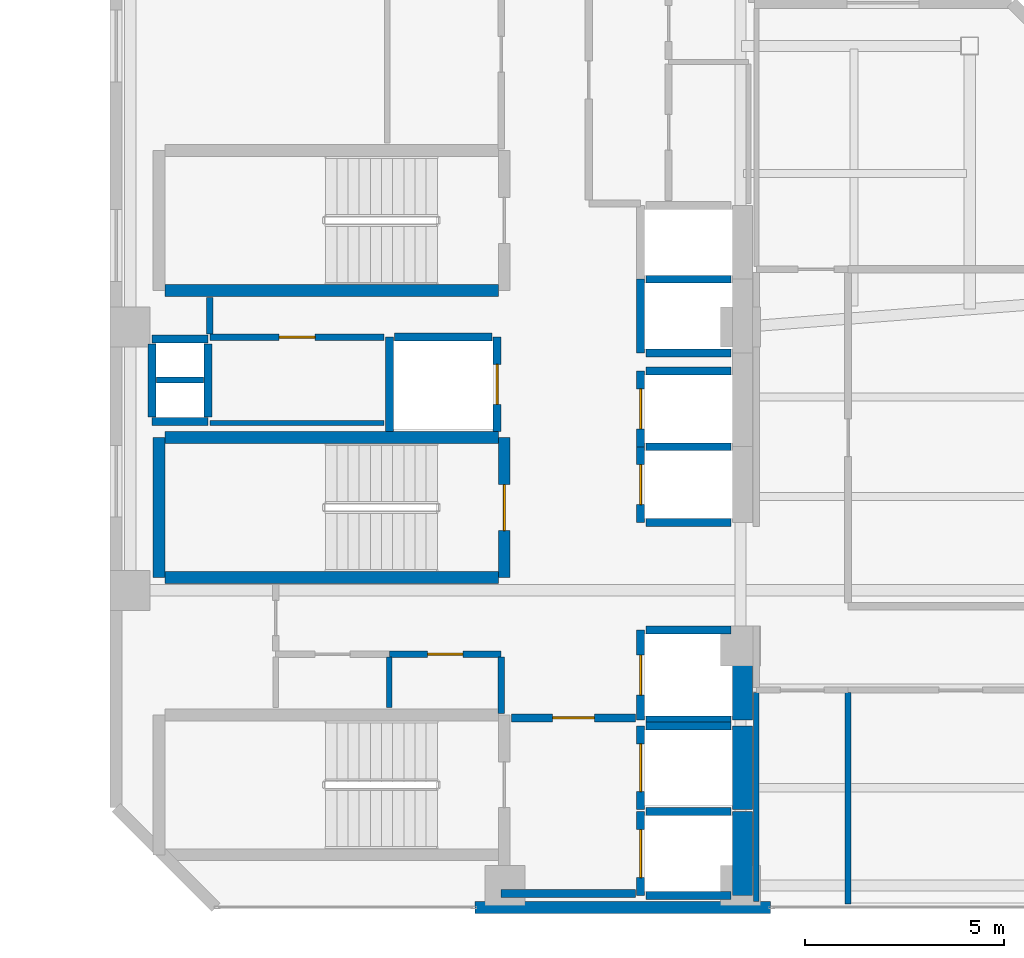
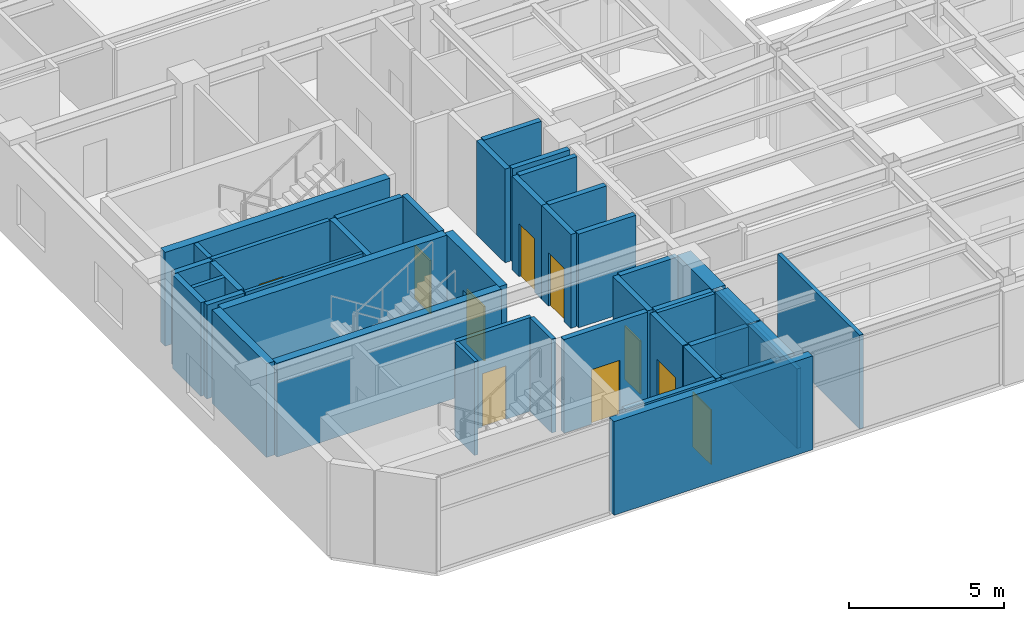
# One storey, part 9 of 15: 43 walls, 10 doors, 10 openings.
"""IFC4 building model written with IfcOpenShell, lengths in metres."""

from ifc_helpers import new_model, si_unit, direction, frame, frame_2d, origin, place, context, subcontext, project, spatial, rectangle, extrude, material, layer, layer_set, type_object, element, fill, save


model = new_model("IFC4")

# Units and contexts
model_context = context("Model", 3, precision=1e-05, world=origin(), true_north=direction((0.0, 1.0)))
body_context = subcontext(model_context, "Body", "Model", "MODEL_VIEW")
ifc_project = project(units=[si_unit("LENGTHUNIT", "METRE"), si_unit("AREAUNIT", "SQUARE_METRE"), si_unit("VOLUMEUNIT", "CUBIC_METRE"), si_unit("PLANEANGLEUNIT", "RADIAN"), si_unit("MASSUNIT", "GRAM", prefix="KILO")], contexts=[model_context])

# Site, building, storey
site_placement = place(None, origin())
site = spatial("IfcSite", under=ifc_project, at=site_placement, CompositionType="ELEMENT")
building_placement = place(site_placement, origin())
building = spatial("IfcBuilding", under=site, at=building_placement, Name="Mawjaban Terraces University", CompositionType="ELEMENT")
storey_placement = place(building_placement, frame((0.0, 0.0, 207.0)))
storey = spatial("IfcBuildingStorey", under=building, at=storey_placement, Name="L50", CompositionType="ELEMENT", Elevation=207.0)

# Walls
ifc_material_1 = material(Name="Concrete C60/75", Category="concrete")
ifc_layer_1 = layer(ifc_material_1, 0.5)
ifc_layer_set_1 = layer_set([ifc_layer_1], Name="Concrete C60/75")
wall_type_1 = type_object("IfcWallType", Name="CoreShearWall_500", PredefinedType="SHEAR", material=ifc_layer_set_1)
wall_1_placement = place(storey_placement, frame((37.699951171875, 0.300048828125, 0.0), z_axis=(0.0, 0.0, 1.0), x_axis=(0.0, 1.0, 0.0)))
element("IfcWall", 1, at=wall_1_placement, inside=storey, type_object=wall_type_1, Name="L50 Lift FL-1 Hoistway Wall East", PredefinedType="SHEAR", context=body_context, shape_type="SweptSolid", body=[
    extrude(rectangle(XDim=2.099853515625, YDim=0.5, at=frame_2d((1.0498046875, 0.0))), origin(), (0.0, 0.0, 1.0), 3.68994140625),
])
wall_2_placement = place(storey_placement, frame((37.699951171875, 2.449951171875, 0.0), z_axis=(0.0, 0.0, 1.0), x_axis=(0.0, 1.0, 0.0)))
element("IfcWall", 2, at=wall_2_placement, inside=storey, type_object=wall_type_1, Name="L50 Lift FL-2 Hoistway Wall East", PredefinedType="SHEAR", context=body_context, shape_type="SweptSolid", body=[
    extrude(rectangle(XDim=2.10009765625, YDim=0.5, at=frame_2d((1.050048828125, 0.0))), origin(), (0.0, 0.0, 1.0), 3.68994140625),
])
wall_3_placement = place(storey_placement, frame((37.699951171875, 4.699951171875, 0.0), z_axis=(0.0, 0.0, 1.0), x_axis=(0.0, 1.0, 0.0)))
element("IfcWall", 3, at=wall_3_placement, inside=storey, type_object=wall_type_1, Name="L50 Lift SL-1 Hoistway Wall East", PredefinedType="SHEAR", context=body_context, shape_type="SweptSolid", body=[
    extrude(rectangle(XDim=2.25, YDim=0.5, at=frame_2d((1.125, 0.0))), origin(), (0.0, 0.0, 1.0), 3.68994140625),
])

# Wall, opening, door
ifc_material_2 = material(Name="Fire-rated gypsum board on steel stud", Category="steel")
ifc_layer_2 = layer(ifc_material_2, 0.159912109375)
ifc_layer_set_2 = layer_set([ifc_layer_2], Name="Fire-rated gypsum board on steel stud")
wall_type_2 = type_object("IfcWallType", Name="CorridorPartition_160", PredefinedType="PARTITIONING", material=ifc_layer_set_2)
wall_4_placement = place(storey_placement, frame((24.35009765625, 14.300048828125, 0.0), z_axis=(0.0, 0.0, 1.0), x_axis=(1.0, 0.0, 0.0)))
wall_4 = element("IfcWall", 4, at=wall_4_placement, inside=storey, type_object=wall_type_2, Name="L50 Core Riser Access Passage Partition 2", PredefinedType="PARTITIONING", context=body_context, shape_type="SweptSolid", body=[
    extrude(rectangle(XDim=4.369873046875, YDim=0.159912109375, at=frame_2d((2.18505859375, 0.0))), origin(), (0.0, 0.0, 1.0), 3.68994140625),
])
opening_1_placement = place(wall_4_placement, frame((1.735107421875, 0.0, 0.0)))
opening_1 = element("IfcOpeningElement", 5, at=opening_1_placement, cuts=wall_4, Name="Opening ID-090", PredefinedType="OPENING", context=body_context, shape_type="SweptSolid", body=[
    extrude(rectangle(XDim=0.89990234375, YDim=2.10009765625, at=frame_2d((0.449951171875, 1.050048828125))), frame((0.0, 0.08984375, 0.0), z_axis=(0.0, -1.0, 0.0), x_axis=(1.0, 0.0, 0.0)), (0.0, 0.0, 1.0), 0.179931640625),
])
ifc_material_3 = material(Name="Powder-coated steel frame and solid acoustic timber leaf", Category="steel")
door_type_1 = type_object("IfcDoorType", Name="OfficeDoor_900x2100", OperationType="NOTDEFINED", PredefinedType="DOOR", material=ifc_material_3)
door_1_placement = place(opening_1_placement, origin())
door_1 = element("IfcDoor", 6, at=door_1_placement, inside=storey, type_object=door_type_1, Name="L50 Cleaner Store Door", OperationType="SINGLE_SWING_RIGHT", OverallHeight=2.10009765625, OverallWidth=0.89990234375, PredefinedType="DOOR", context=body_context, shape_type="SweptSolid", body=[
    extrude(rectangle(XDim=0.89990234375, YDim=2.10009765625, at=frame_2d((0.449951171875, 1.050048828125))), frame((0.0, 0.02490234375, 0.0), z_axis=(0.0, -1.0, 0.0), x_axis=(1.0, 0.0, 0.0)), (0.0, 0.0, 1.0), 0.050048828125),
])
fill(opening_1, door_1)

wall_5_placement = place(storey_placement, frame((28.85009765625, 6.35009765625, 0.0), z_axis=(0.0, 0.0, 1.0), x_axis=(1.0, 0.0, 0.0)))
wall_5 = element("IfcWall", 7, at=wall_5_placement, inside=storey, type_object=wall_type_2, Name="L50 Core Washroom Lobby Partition 7", PredefinedType="PARTITIONING", context=body_context, shape_type="SweptSolid", body=[
    extrude(rectangle(XDim=2.7998046875, YDim=0.159912109375, at=frame_2d((1.39990234375, 0.0))), origin(), (0.0, 0.0, 1.0), 3.68994140625),
])
opening_2_placement = place(wall_5_placement, frame((0.9599609375, 0.0, 0.0)))
opening_2 = element("IfcOpeningElement", 8, at=opening_2_placement, cuts=wall_5, Name="Opening ID-088", PredefinedType="OPENING", context=body_context, shape_type="SweptSolid", body=[
    extrude(rectangle(XDim=0.8798828125, YDim=2.10009765625, at=frame_2d((0.43994140625, 1.050048828125))), frame((0.0, 0.08984375, 0.0), z_axis=(0.0, -1.0, 0.0), x_axis=(1.0, 0.0, 0.0)), (0.0, 0.0, 1.0), 0.179931640625),
])
door_type_2 = type_object("IfcDoorType", Name="ToiletDoor_880x2100", OperationType="NOTDEFINED", PredefinedType="DOOR", material=ifc_material_3)
door_2_placement = place(opening_2_placement, origin())
door_2 = element("IfcDoor", 9, at=door_2_placement, inside=storey, type_object=door_type_2, Name="L50 Accessible Toilet Door", OperationType="SINGLE_SWING_LEFT", OverallHeight=2.10009765625, OverallWidth=0.8798828125, PredefinedType="DOOR", context=body_context, shape_type="SweptSolid", body=[
    extrude(rectangle(XDim=0.8798828125, YDim=2.10009765625, at=frame_2d((0.43994140625, 1.050048828125))), frame((0.0, 0.02490234375, 0.0), z_axis=(0.0, -1.0, 0.0), x_axis=(1.0, 0.0, 0.0)), (0.0, 0.0, 1.0), 0.050048828125),
])
fill(opening_2, door_2)

# Walls
wall_6_placement = place(storey_placement, frame((24.35009765625, 15.2900390625, 0.0), z_axis=(0.0, 0.0, 1.0), x_axis=(0.0, -1.0, 0.0)))
element("IfcWall", 10, at=wall_6_placement, inside=storey, type_object=wall_type_2, Name="L50 Core Riser Access Passage Partition 30", PredefinedType="PARTITIONING", context=body_context, shape_type="SweptSolid", body=[
    extrude(rectangle(XDim=0.9150390625, YDim=0.159912109375, at=frame_2d((0.45751953125, 0.0))), origin(), (0.0, 0.0, 1.0), 3.68994140625),
])
wall_7_placement = place(storey_placement, frame((31.64990234375, 4.860107421875, 0.0), z_axis=(0.0, 0.0, 1.0), x_axis=(0.0, 1.0, 0.0)))
element("IfcWall", 11, at=wall_7_placement, inside=storey, type_object=wall_type_2, Name="L50 Accessible Toilet Partition 39", PredefinedType="PARTITIONING", context=body_context, shape_type="SweptSolid", body=[
    extrude(rectangle(XDim=1.414794921875, YDim=0.159912109375, at=frame_2d((0.70751953125, 0.0))), origin(), (0.0, 0.0, 1.0), 3.68994140625),
])
ifc_material_4 = material(Name="Insulated terracotta rainscreen on concrete backup C40/50", Category="masonry")
ifc_layer_3 = layer(ifc_material_4, 0.300048828125)
ifc_layer_set_3 = layer_set([ifc_layer_3], Name="Insulated terracotta rainscreen on concrete backup C40/50")
wall_type_3 = type_object("IfcWallType", Name="ExtTerracottaWall_300", PredefinedType="SOLIDWALL", material=ifc_layer_set_3)
wall_8_placement = place(storey_placement, frame((31.0, 0.0, 0.0), z_axis=(0.0, 0.0, 1.0), x_axis=(1.0, 0.0, 0.0)))
element("IfcWall", 12, at=wall_8_placement, inside=storey, type_object=wall_type_3, Name="L50 Exterior Terracotta Pier Wall 1.1", PredefinedType="SOLIDWALL", context=body_context, shape_type="SweptSolid", body=[
    extrude(rectangle(XDim=7.39990234375, YDim=0.300048828125, at=frame_2d((3.699951171875, 0.0))), origin(), (0.0, 0.0, 1.0), 3.68994140625),
])

# Wall, opening, door
ifc_material_5 = material(Name="Concrete C40/50", Category="concrete")
ifc_layer_4 = layer(ifc_material_5, 0.199951171875)
ifc_layer_set_4 = layer_set([ifc_layer_4], Name="Concrete C40/50")
wall_type_4 = type_object("IfcWallType", Name="FireLobbyWall_200", PredefinedType="SOLIDWALL", material=ifc_layer_set_4)
wall_9_placement = place(storey_placement, frame((35.14990234375, 2.39990234375, 0.0), z_axis=(0.0, 0.0, 1.0), x_axis=(0.0, -1.0, 0.0)))
wall_9 = element("IfcWall", 13, at=wall_9_placement, inside=storey, type_object=wall_type_4, Name="L50 Lift FL-1 Hoistway Wall West", PredefinedType="SOLIDWALL", context=body_context, shape_type="SweptSolid", body=[
    extrude(rectangle(XDim=2.099853515625, YDim=0.199951171875, at=frame_2d((1.0498046875, 0.0))), origin(), (0.0, 0.0, 1.0), 3.68994140625),
])
opening_3_placement = place(wall_9_placement, frame((0.449951171875, 0.0, 0.0)))
opening_3 = element("IfcOpeningElement", 14, at=opening_3_placement, cuts=wall_9, Name="Opening LD-FL-1", PredefinedType="OPENING", context=body_context, shape_type="SweptSolid", body=[
    extrude(rectangle(XDim=1.199951171875, YDim=2.14990234375, at=frame_2d((0.60009765625, 1.074951171875))), frame((0.0, 0.10986328125, 0.0), z_axis=(0.0, -1.0, 0.0), x_axis=(1.0, 0.0, 0.0)), (0.0, 0.0, 1.0), 0.219970703125),
])
ifc_material_6 = material(Name="Powder-coated steel frame and fire-rated steel-faced leaf", Category="steel")
door_type_3 = type_object("IfcDoorType", Name="LiftLandingFSAE_1200x2150", OperationType="NOTDEFINED", PredefinedType="DOOR", material=ifc_material_6)
door_3_placement = place(opening_3_placement, origin())
door_3 = element("IfcDoor", 15, at=door_3_placement, inside=storey, type_object=door_type_3, Name="L50 Lift FL-1 Sliding Landing Door", OperationType="DOUBLE_DOOR_SLIDING", OverallHeight=2.14990234375, OverallWidth=1.199951171875, PredefinedType="DOOR", context=body_context, shape_type="SweptSolid", body=[
    extrude(rectangle(XDim=1.199951171875, YDim=2.14990234375, at=frame_2d((0.60009765625, 1.074951171875))), frame((0.0, 0.02490234375, 0.0), z_axis=(0.0, -1.0, 0.0), x_axis=(1.0, 0.0, 0.0)), (0.0, 0.0, 1.0), 0.050048828125),
])
fill(opening_3, door_3)

# Walls
for number, where, z_axis, x_axis, name in (
    (16, (35.280029296875, 0.300048828125, 0.0), (0.0, 0.0, 1.0), (1.0, 0.0, 0.0), "L50 Lift FL-1 Hoistway Wall South"),
    (17, (37.419921875, 2.39990234375, 0.0), (0.0, 0.0, 1.0), (-1.0, 0.0, 0.0), "L50 Lift FL-1 Hoistway Wall North"),
):
    element("IfcWall", number, at=place(storey_placement, frame(where, z_axis=z_axis, x_axis=x_axis)), inside=storey, type_object=wall_type_4, Name=name, PredefinedType="SOLIDWALL", context=body_context, shape_type="SweptSolid", body=[
        extrude(rectangle(XDim=2.139892578125, YDim=0.199951171875, at=frame_2d((1.06982421875, 0.0))), origin(), (0.0, 0.0, 1.0), 3.68994140625),
    ])

# Wall, opening, door
wall_10_placement = place(storey_placement, frame((35.14990234375, 4.550048828125, 0.0), z_axis=(0.0, 0.0, 1.0), x_axis=(0.0, -1.0, 0.0)))
wall_10 = element("IfcWall", 18, at=wall_10_placement, inside=storey, type_object=wall_type_4, Name="L50 Lift FL-2 Hoistway Wall West", PredefinedType="SOLIDWALL", context=body_context, shape_type="SweptSolid", body=[
    extrude(rectangle(XDim=2.10009765625, YDim=0.199951171875, at=frame_2d((1.050048828125, 0.0))), origin(), (0.0, 0.0, 1.0), 3.68994140625),
])
opening_4_placement = place(wall_10_placement, frame((0.449951171875, 0.0, 0.0)))
opening_4 = element("IfcOpeningElement", 19, at=opening_4_placement, cuts=wall_10, Name="Opening LD-FL-2", PredefinedType="OPENING", context=body_context, shape_type="SweptSolid", body=[
    extrude(rectangle(XDim=1.199951171875, YDim=2.14990234375, at=frame_2d((0.60009765625, 1.074951171875))), frame((0.0, 0.10986328125, 0.0), z_axis=(0.0, -1.0, 0.0), x_axis=(1.0, 0.0, 0.0)), (0.0, 0.0, 1.0), 0.219970703125),
])
door_4_placement = place(opening_4_placement, origin())
door_4 = element("IfcDoor", 20, at=door_4_placement, inside=storey, type_object=door_type_3, Name="L50 Lift FL-2 Sliding Landing Door", OperationType="DOUBLE_DOOR_SLIDING", OverallHeight=2.14990234375, OverallWidth=1.199951171875, PredefinedType="DOOR", context=body_context, shape_type="SweptSolid", body=[
    extrude(rectangle(XDim=1.199951171875, YDim=2.14990234375, at=frame_2d((0.60009765625, 1.074951171875))), frame((0.0, 0.02490234375, 0.0), z_axis=(0.0, -1.0, 0.0), x_axis=(1.0, 0.0, 0.0)), (0.0, 0.0, 1.0), 0.050048828125),
])
fill(opening_4, door_4)

# Wall
wall_11_placement = place(storey_placement, frame((37.419921875, 4.550048828125, 0.0), z_axis=(0.0, 0.0, 1.0), x_axis=(-1.0, 0.0, 0.0)))
element("IfcWall", 21, at=wall_11_placement, inside=storey, type_object=wall_type_4, Name="L50 Lift FL-2 Hoistway Wall North", PredefinedType="SOLIDWALL", context=body_context, shape_type="SweptSolid", body=[
    extrude(rectangle(XDim=2.139892578125, YDim=0.199951171875, at=frame_2d((1.06982421875, 0.0))), origin(), (0.0, 0.0, 1.0), 3.68994140625),
])

# Wall, opening, door
wall_12_placement = place(storey_placement, frame((35.14990234375, 6.949951171875, 0.0), z_axis=(0.0, 0.0, 1.0), x_axis=(0.0, -1.0, 0.0)))
wall_12 = element("IfcWall", 22, at=wall_12_placement, inside=storey, type_object=wall_type_4, Name="L50 Lift SL-1 Hoistway Wall West", PredefinedType="SOLIDWALL", context=body_context, shape_type="SweptSolid", body=[
    extrude(rectangle(XDim=2.25, YDim=0.199951171875, at=frame_2d((1.125, 0.0))), origin(), (0.0, 0.0, 1.0), 3.68994140625),
])
opening_5_placement = place(wall_12_placement, frame((0.625, 0.0, 0.0)))
opening_5 = element("IfcOpeningElement", 23, at=opening_5_placement, cuts=wall_12, Name="Opening LD-SL-1", PredefinedType="OPENING", context=body_context, shape_type="SweptSolid", body=[
    extrude(rectangle(XDim=1.0, YDim=2.10009765625, at=frame_2d((0.5, 1.050048828125))), frame((0.0, 0.10986328125, 0.0), z_axis=(0.0, -1.0, 0.0), x_axis=(1.0, 0.0, 0.0)), (0.0, 0.0, 1.0), 0.219970703125),
])
door_type_4 = type_object("IfcDoorType", Name="LiftLandingSliding_1000x2100", OperationType="NOTDEFINED", PredefinedType="DOOR", material=ifc_material_6)
door_5_placement = place(opening_5_placement, origin())
door_5 = element("IfcDoor", 24, at=door_5_placement, inside=storey, type_object=door_type_4, Name="L50 Lift SL-1 Sliding Landing Door", OperationType="DOUBLE_DOOR_SLIDING", OverallHeight=2.10009765625, OverallWidth=1.0, PredefinedType="DOOR", context=body_context, shape_type="SweptSolid", body=[
    extrude(rectangle(XDim=1.0, YDim=2.10009765625, at=frame_2d((0.5, 1.050048828125))), frame((0.0, 0.02490234375, 0.0), z_axis=(0.0, -1.0, 0.0), x_axis=(1.0, 0.0, 0.0)), (0.0, 0.0, 1.0), 0.050048828125),
])
fill(opening_5, door_5)

# Walls
for number, where, z_axis, x_axis, name in (
    (25, (35.280029296875, 4.699951171875, 0.0), (0.0, 0.0, 1.0), (1.0, 0.0, 0.0), "L50 Lift SL-1 Hoistway Wall South"),
    (26, (37.419921875, 6.949951171875, 0.0), (0.0, 0.0, 1.0), (-1.0, 0.0, 0.0), "L50 Lift SL-1 Hoistway Wall North"),
):
    element("IfcWall", number, at=place(storey_placement, frame(where, z_axis=z_axis, x_axis=x_axis)), inside=storey, type_object=wall_type_4, Name=name, PredefinedType="SOLIDWALL", context=body_context, shape_type="SweptSolid", body=[
        extrude(rectangle(XDim=2.139892578125, YDim=0.199951171875, at=frame_2d((1.06982421875, 0.0))), origin(), (0.0, 0.0, 1.0), 3.68994140625),
    ])

# Wall, opening, door
wall_13_placement = place(storey_placement, frame((35.14990234375, 11.550048828125, 0.0), z_axis=(0.0, 0.0, 1.0), x_axis=(0.0, -1.0, 0.0)))
wall_13 = element("IfcWall", 27, at=wall_13_placement, inside=storey, type_object=wall_type_4, Name="L50 Lift PL-H1 Hoistway Wall West", PredefinedType="SOLIDWALL", context=body_context, shape_type="SweptSolid", body=[
    extrude(rectangle(XDim=1.900146484375, YDim=0.199951171875, at=frame_2d((0.9501953125, 0.0))), origin(), (0.0, 0.0, 1.0), 3.68994140625),
])
opening_6_placement = place(wall_13_placement, frame((0.449951171875, 0.0, 0.0)))
opening_6 = element("IfcOpeningElement", 28, at=opening_6_placement, cuts=wall_13, Name="Opening LD-PL-H1", PredefinedType="OPENING", context=body_context, shape_type="SweptSolid", body=[
    extrude(rectangle(XDim=1.0, YDim=2.10009765625, at=frame_2d((0.5, 1.050048828125))), frame((0.0, 0.10986328125, 0.0), z_axis=(0.0, -1.0, 0.0), x_axis=(1.0, 0.0, 0.0)), (0.0, 0.0, 1.0), 0.219970703125),
])
door_6_placement = place(opening_6_placement, origin())
door_6 = element("IfcDoor", 29, at=door_6_placement, inside=storey, type_object=door_type_4, Name="L50 Lift PL-H1 Sliding Landing Door", OperationType="DOUBLE_DOOR_SLIDING", OverallHeight=2.10009765625, OverallWidth=1.0, PredefinedType="DOOR", context=body_context, shape_type="SweptSolid", body=[
    extrude(rectangle(XDim=1.0, YDim=2.10009765625, at=frame_2d((0.5, 1.050048828125))), frame((0.0, 0.02490234375, 0.0), z_axis=(0.0, -1.0, 0.0), x_axis=(1.0, 0.0, 0.0)), (0.0, 0.0, 1.0), 0.050048828125),
])
fill(opening_6, door_6)

# Walls
for number, where, z_axis, x_axis, name in (
    (30, (35.280029296875, 9.64990234375, 0.0), (0.0, 0.0, 1.0), (1.0, 0.0, 0.0), "L50 Lift PL-H1 Hoistway Wall South"),
    (31, (37.419921875, 11.550048828125, 0.0), (0.0, 0.0, 1.0), (-1.0, 0.0, 0.0), "L50 Lift PL-H1 Hoistway Wall North"),
):
    element("IfcWall", number, at=place(storey_placement, frame(where, z_axis=z_axis, x_axis=x_axis)), inside=storey, type_object=wall_type_4, Name=name, PredefinedType="SOLIDWALL", context=body_context, shape_type="SweptSolid", body=[
        extrude(rectangle(XDim=2.139892578125, YDim=0.199951171875, at=frame_2d((1.06982421875, 0.0))), origin(), (0.0, 0.0, 1.0), 3.68994140625),
    ])

# Wall, opening, door
wall_14_placement = place(storey_placement, frame((35.14990234375, 13.449951171875, 0.0), z_axis=(0.0, 0.0, 1.0), x_axis=(0.0, -1.0, 0.0)))
wall_14 = element("IfcWall", 32, at=wall_14_placement, inside=storey, type_object=wall_type_4, Name="L50 Lift PL-H2 Hoistway Wall West", PredefinedType="SOLIDWALL", context=body_context, shape_type="SweptSolid", body=[
    extrude(rectangle(XDim=1.89990234375, YDim=0.199951171875, at=frame_2d((0.949951171875, 0.0))), origin(), (0.0, 0.0, 1.0), 3.68994140625),
])
opening_7_placement = place(wall_14_placement, frame((0.449951171875, 0.0, 0.0)))
opening_7 = element("IfcOpeningElement", 33, at=opening_7_placement, cuts=wall_14, Name="Opening LD-PL-H2", PredefinedType="OPENING", context=body_context, shape_type="SweptSolid", body=[
    extrude(rectangle(XDim=1.0, YDim=2.10009765625, at=frame_2d((0.5, 1.050048828125))), frame((0.0, 0.10986328125, 0.0), z_axis=(0.0, -1.0, 0.0), x_axis=(1.0, 0.0, 0.0)), (0.0, 0.0, 1.0), 0.219970703125),
])
door_7_placement = place(opening_7_placement, origin())
door_7 = element("IfcDoor", 34, at=door_7_placement, inside=storey, type_object=door_type_4, Name="L50 Lift PL-H2 Sliding Landing Door", OperationType="DOUBLE_DOOR_SLIDING", OverallHeight=2.10009765625, OverallWidth=1.0, PredefinedType="DOOR", context=body_context, shape_type="SweptSolid", body=[
    extrude(rectangle(XDim=1.0, YDim=2.10009765625, at=frame_2d((0.5, 1.050048828125))), frame((0.0, 0.02490234375, 0.0), z_axis=(0.0, -1.0, 0.0), x_axis=(1.0, 0.0, 0.0)), (0.0, 0.0, 1.0), 0.050048828125),
])
fill(opening_7, door_7)

# Walls
wall_15_placement = place(storey_placement, frame((37.419921875, 13.449951171875, 0.0), z_axis=(0.0, 0.0, 1.0), x_axis=(-1.0, 0.0, 0.0)))
element("IfcWall", 35, at=wall_15_placement, inside=storey, type_object=wall_type_4, Name="L50 Lift PL-H2 Hoistway Wall North", PredefinedType="SOLIDWALL", context=body_context, shape_type="SweptSolid", body=[
    extrude(rectangle(XDim=2.139892578125, YDim=0.199951171875, at=frame_2d((1.06982421875, 0.0))), origin(), (0.0, 0.0, 1.0), 3.68994140625),
])
wall_16_placement = place(storey_placement, frame((28.85009765625, 14.300048828125, 0.0), z_axis=(0.0, 0.0, 1.0), x_axis=(0.0, -1.0, 0.0)))
element("IfcWall", 36, at=wall_16_placement, inside=storey, type_object=wall_type_4, Name="L50 Lift PL-H3 Hoistway Wall West", PredefinedType="SOLIDWALL", context=body_context, shape_type="SweptSolid", body=[
    extrude(rectangle(XDim=2.3701171875, YDim=0.199951171875, at=frame_2d((1.18505859375, 0.0))), origin(), (0.0, 0.0, 1.0), 3.68994140625),
])

# Wall, opening, door
wall_17_placement = place(storey_placement, frame((31.550048828125, 11.929931640625, 0.0), z_axis=(0.0, 0.0, 1.0), x_axis=(0.0, 1.0, 0.0)))
wall_17 = element("IfcWall", 37, at=wall_17_placement, inside=storey, type_object=wall_type_4, Name="L50 Lift PL-H3 Hoistway Wall East", PredefinedType="SOLIDWALL", context=body_context, shape_type="SweptSolid", body=[
    extrude(rectangle(XDim=2.3701171875, YDim=0.199951171875, at=frame_2d((1.18505859375, 0.0))), origin(), (0.0, 0.0, 1.0), 3.68994140625),
])
opening_8_placement = place(wall_17_placement, frame((0.68505859375, 0.0, 0.0)))
opening_8 = element("IfcOpeningElement", 38, at=opening_8_placement, cuts=wall_17, Name="Opening LD-PL-H3", PredefinedType="OPENING", context=body_context, shape_type="SweptSolid", body=[
    extrude(rectangle(XDim=1.0, YDim=2.10009765625, at=frame_2d((0.5, 1.050048828125))), frame((0.0, 0.10986328125, 0.0), z_axis=(0.0, -1.0, 0.0), x_axis=(1.0, 0.0, 0.0)), (0.0, 0.0, 1.0), 0.219970703125),
])
door_8_placement = place(opening_8_placement, origin())
door_8 = element("IfcDoor", 39, at=door_8_placement, inside=storey, type_object=door_type_4, Name="L50 Lift PL-H3 Sliding Landing Door", OperationType="DOUBLE_DOOR_SLIDING", OverallHeight=2.10009765625, OverallWidth=1.0, PredefinedType="DOOR", context=body_context, shape_type="SweptSolid", body=[
    extrude(rectangle(XDim=1.0, YDim=2.10009765625, at=frame_2d((0.5, 1.050048828125))), frame((0.0, 0.02490234375, 0.0), z_axis=(0.0, -1.0, 0.0), x_axis=(1.0, 0.0, 0.0)), (0.0, 0.0, 1.0), 0.050048828125),
])
fill(opening_8, door_8)

# Walls
wall_18_placement = place(storey_placement, frame((31.419921875, 14.300048828125, 0.0), z_axis=(0.0, 0.0, 1.0), x_axis=(-1.0, 0.0, 0.0)))
element("IfcWall", 40, at=wall_18_placement, inside=storey, type_object=wall_type_4, Name="L50 Lift PL-H3 Hoistway Wall North", PredefinedType="SOLIDWALL", context=body_context, shape_type="SweptSolid", body=[
    extrude(rectangle(XDim=2.43994140625, YDim=0.199951171875, at=frame_2d((1.219970703125, 0.0))), origin(), (0.0, 0.0, 1.0), 3.68994140625),
])
wall_19_placement = place(storey_placement, frame((35.14990234375, 15.75, 0.0), z_axis=(0.0, 0.0, 1.0), x_axis=(0.0, -1.0, 0.0)))
element("IfcWall", 41, at=wall_19_placement, inside=storey, type_object=wall_type_4, Name="L50 Lift OL-1 Hoistway Wall West", PredefinedType="SOLIDWALL", context=body_context, shape_type="SweptSolid", body=[
    extrude(rectangle(XDim=1.85009765625, YDim=0.199951171875, at=frame_2d((0.925048828125, 0.0))), origin(), (0.0, 0.0, 1.0), 3.68994140625),
])
for number, where, z_axis, x_axis, name in (
    (42, (35.280029296875, 13.89990234375, 0.0), (0.0, 0.0, 1.0), (1.0, 0.0, 0.0), "L50 Lift OL-1 Hoistway Wall South"),
    (43, (37.419921875, 15.75, 0.0), (0.0, 0.0, 1.0), (-1.0, 0.0, 0.0), "L50 Lift OL-1 Hoistway Wall North"),
):
    element("IfcWall", number, at=place(storey_placement, frame(where, z_axis=z_axis, x_axis=x_axis)), inside=storey, type_object=wall_type_4, Name=name, PredefinedType="SOLIDWALL", context=body_context, shape_type="SweptSolid", body=[
        extrude(rectangle(XDim=2.139892578125, YDim=0.199951171875, at=frame_2d((1.06982421875, 0.0))), origin(), (0.0, 0.0, 1.0), 3.68994140625),
    ])
for number, where, z_axis, x_axis, name in (
    (44, (22.89990234375, 14.25, 0.0), (0.0, 0.0, 1.0), (1.0, 0.0, 0.0), "L50 MEP Riser Shaft Wall N"),
    (45, (22.89990234375, 12.179931640625, 0.0), (0.0, 0.0, 1.0), (1.0, 0.0, 0.0), "L50 MEP Riser Shaft Wall S"),
):
    element("IfcWall", number, at=place(storey_placement, frame(where, z_axis=z_axis, x_axis=x_axis)), inside=storey, type_object=wall_type_4, Name=name, PredefinedType="SOLIDWALL", context=body_context, shape_type="SweptSolid", body=[
        extrude(rectangle(XDim=1.400146484375, YDim=0.199951171875, at=frame_2d((0.7001953125, 0.0))), origin(), (0.0, 0.0, 1.0), 3.68994140625),
    ])
for number, where, z_axis, x_axis, name in (
    (46, (24.300048828125, 12.300048828125, 0.0), (0.0, 0.0, 1.0), (0.0, 1.0, 0.0), "L50 MEP Riser Shaft Wall E"),
    (47, (22.89990234375, 12.300048828125, 0.0), (0.0, 0.0, 1.0), (0.0, 1.0, 0.0), "L50 MEP Riser Shaft Wall W"),
):
    element("IfcWall", number, at=place(storey_placement, frame(where, z_axis=z_axis, x_axis=x_axis)), inside=storey, type_object=wall_type_4, Name=name, PredefinedType="SOLIDWALL", context=body_context, shape_type="SweptSolid", body=[
        extrude(rectangle(XDim=1.829833984375, YDim=0.199951171875, at=frame_2d((0.9150390625, 0.0))), origin(), (0.0, 0.0, 1.0), 3.68994140625),
    ])
wall_20_placement = place(storey_placement, frame((31.64990234375, 0.35009765625, 0.0), z_axis=(0.0, 0.0, 1.0), x_axis=(1.0, 0.0, 0.0)))
element("IfcWall", 48, at=wall_20_placement, inside=storey, type_object=wall_type_4, Name="L50 Firefighting Lift Lobby Partition 8", PredefinedType="SOLIDWALL", context=body_context, shape_type="SweptSolid", body=[
    extrude(rectangle(XDim=3.3701171875, YDim=0.199951171875, at=frame_2d((1.68505859375, 0.0))), origin(), (0.0, 0.0, 1.0), 3.68994140625),
])

# Wall, opening, door
wall_21_placement = place(storey_placement, frame((35.02001953125, 4.75, 0.0), z_axis=(0.0, 0.0, 1.0), x_axis=(-1.0, 0.0, 0.0)))
wall_21 = element("IfcWall", 49, at=wall_21_placement, inside=storey, type_object=wall_type_4, Name="L50 Firefighting Lift Lobby Partition 11", PredefinedType="SOLIDWALL", context=body_context, shape_type="SweptSolid", body=[
    extrude(rectangle(XDim=3.110107421875, YDim=0.199951171875, at=frame_2d((1.55517578125, 0.0))), origin(), (0.0, 0.0, 1.0), 3.68994140625),
])
opening_9_placement = place(wall_21_placement, frame((1.030029296875, 0.0, 0.0)))
opening_9 = element("IfcOpeningElement", 50, at=opening_9_placement, cuts=wall_21, Name="Opening FD-105", PredefinedType="OPENING", context=body_context, shape_type="SweptSolid", body=[
    extrude(rectangle(XDim=1.050048828125, YDim=2.14990234375, at=frame_2d((0.52490234375, 1.074951171875))), frame((0.0, 0.10986328125, 0.0), z_axis=(0.0, -1.0, 0.0), x_axis=(1.0, 0.0, 0.0)), (0.0, 0.0, 1.0), 0.219970703125),
])
door_type_5 = type_object("IfcDoorType", Name="FireLobbyDoor_1050x2150", OperationType="NOTDEFINED", PredefinedType="DOOR", material=ifc_material_6)
door_9_placement = place(opening_9_placement, origin())
door_9 = element("IfcDoor", 51, at=door_9_placement, inside=storey, type_object=door_type_5, Name="L50 Firefighting Lift Lobby Door", OperationType="SINGLE_SWING_RIGHT", OverallHeight=2.14990234375, OverallWidth=1.050048828125, PredefinedType="DOOR", context=body_context, shape_type="SweptSolid", body=[
    extrude(rectangle(XDim=1.050048828125, YDim=2.14990234375, at=frame_2d((0.52490234375, 1.074951171875))), frame((0.0, 0.02490234375, 0.0), z_axis=(0.0, -1.0, 0.0), x_axis=(1.0, 0.0, 0.0)), (0.0, 0.0, 1.0), 0.050048828125),
])
fill(opening_9, door_9)

# Walls
ifc_material_7 = material(Name="Moisture-resistant gypsum board on steel stud", Category="steel")
ifc_layer_5 = layer(ifc_material_7, 0.14501953125)
ifc_layer_set_5 = layer_set([ifc_layer_5], Name="Moisture-resistant gypsum board on steel stud")
wall_type_5 = type_object("IfcWallType", Name="LabPartition_145", PredefinedType="PARTITIONING", material=ifc_layer_set_5)
wall_22_placement = place(storey_placement, frame((23.010009765625, 13.22509765625, 0.0), z_axis=(0.0, 0.0, 1.0), x_axis=(1.0, 0.0, 0.0)))
element("IfcWall", 52, at=wall_22_placement, inside=storey, type_object=wall_type_5, Name="L50 MEP Riser Shaft Wall M", PredefinedType="PARTITIONING", context=body_context, shape_type="SweptSolid", body=[
    extrude(rectangle(XDim=1.179931640625, YDim=0.14501953125, at=frame_2d((0.58984375, 0.0))), origin(), (0.0, 0.0, 1.0), 3.68994140625),
])
wall_23_placement = place(storey_placement, frame((38.050048828125, 5.383056640625, 0.0), z_axis=(0.0, 0.0, 1.0), x_axis=(0.0, -1.0, 0.0)))
element("IfcWall", 53, at=wall_23_placement, inside=storey, type_object=wall_type_5, Name="L50 Computational Laboratory 1 Partition 45", PredefinedType="PARTITIONING", context=body_context, shape_type="SweptSolid", body=[
    extrude(rectangle(XDim=5.238037109375, YDim=0.14501953125, at=frame_2d((2.619140625, 0.0))), origin(), (0.0, 0.0, 1.0), 3.138916015625),
])
wall_24_placement = place(storey_placement, frame((40.35009765625, 0.090087890625, 0.0), z_axis=(0.0, 0.0, 1.0), x_axis=(0.0, 1.0, 0.0)))
element("IfcWall", 54, at=wall_24_placement, inside=storey, type_object=wall_type_5, Name="L50 Computational Laboratory 1 Partition 49", PredefinedType="PARTITIONING", context=body_context, shape_type="SweptSolid", body=[
    extrude(rectangle(XDim=5.29296875, YDim=0.14501953125, at=frame_2d((2.646484375, 0.0))), origin(), (0.0, 0.0, 1.0), 3.68994140625),
])
ifc_material_8 = material(Name="Gypsum plasterboard on steel stud", Category="steel")
ifc_layer_6 = layer(ifc_material_8, 0.125)
ifc_layer_set_6 = layer_set([ifc_layer_6], Name="Gypsum plasterboard on steel stud")
wall_type_6 = type_object("IfcWallType", Name="OfficePartition_125", PredefinedType="PARTITIONING", material=ifc_layer_set_6)
wall_25_placement = place(storey_placement, frame((24.35009765625, 12.14990234375, 0.0), z_axis=(0.0, 0.0, 1.0), x_axis=(1.0, 0.0, 0.0)))
element("IfcWall", 55, at=wall_25_placement, inside=storey, type_object=wall_type_6, Name="L50 Cleaner Store Partition 1", PredefinedType="PARTITIONING", context=body_context, shape_type="SweptSolid", body=[
    extrude(rectangle(XDim=4.369873046875, YDim=0.125, at=frame_2d((2.18505859375, 0.0))), origin(), (0.0, 0.0, 1.0), 3.68994140625),
])
ifc_layer_7 = layer(ifc_material_1, 0.300048828125)
ifc_layer_set_7 = layer_set([ifc_layer_7], Name="Concrete C60/75")
wall_type_7 = type_object("IfcWallType", Name="StairShaftWall_300", PredefinedType="SHEAR", material=ifc_layer_set_7)
for number, where, z_axis, x_axis, name in (
    (56, (23.219970703125, 15.469970703125, 0.0), (0.0, 0.0, 1.0), (1.0, 0.0, 0.0), "L50 ST-2 Stair Shaft Wall 3"),
    (57, (31.580078125, 11.780029296875, 0.0), (0.0, 0.0, 1.0), (-1.0, 0.0, 0.0), "L50 ST-3 Stair Shaft Wall 1"),
):
    element("IfcWall", number, at=place(storey_placement, frame(where, z_axis=z_axis, x_axis=x_axis)), inside=storey, type_object=wall_type_7, Name=name, PredefinedType="SHEAR", context=body_context, shape_type="SweptSolid", body=[
        extrude(rectangle(XDim=8.360107421875, YDim=0.300048828125, at=frame_2d((4.18017578125, 0.0))), origin(), (0.0, 0.0, 1.0), 3.68994140625),
    ])
wall_26_placement = place(storey_placement, frame((23.070068359375, 11.780029296875, 0.0), z_axis=(0.0, 0.0, 1.0), x_axis=(0.0, -1.0, 0.0)))
element("IfcWall", 58, at=wall_26_placement, inside=storey, type_object=wall_type_7, Name="L50 ST-3 Stair Shaft Wall 2", PredefinedType="SHEAR", context=body_context, shape_type="SweptSolid", body=[
    extrude(rectangle(XDim=3.510009765625, YDim=0.300048828125, at=frame_2d((1.7548828125, 0.0))), origin(), (0.0, 0.0, 1.0), 3.68994140625),
])
wall_27_placement = place(storey_placement, frame((23.219970703125, 8.27001953125, 0.0), z_axis=(0.0, 0.0, 1.0), x_axis=(1.0, 0.0, 0.0)))
element("IfcWall", 59, at=wall_27_placement, inside=storey, type_object=wall_type_7, Name="L50 ST-3 Stair Shaft Wall 3", PredefinedType="SHEAR", context=body_context, shape_type="SweptSolid", body=[
    extrude(rectangle(XDim=8.360107421875, YDim=0.300048828125, at=frame_2d((4.18017578125, 0.0))), origin(), (0.0, 0.0, 1.0), 3.68994140625),
])

# Wall, opening, door
wall_28_placement = place(storey_placement, frame((31.72998046875, 8.27001953125, 0.0), z_axis=(0.0, 0.0, 1.0), x_axis=(0.0, 1.0, 0.0)))
wall_28 = element("IfcWall", 60, at=wall_28_placement, inside=storey, type_object=wall_type_7, Name="L50 ST-3 Stair Shaft Wall 4", PredefinedType="SHEAR", context=body_context, shape_type="SweptSolid", body=[
    extrude(rectangle(XDim=3.510009765625, YDim=0.300048828125, at=frame_2d((1.7548828125, 0.0))), origin(), (0.0, 0.0, 1.0), 3.68994140625),
])
opening_10_placement = place(wall_28_placement, frame((1.179931640625, 0.0, 0.0)))
opening_10 = element("IfcOpeningElement", 61, at=opening_10_placement, cuts=wall_28, Name="Opening FD-115", PredefinedType="OPENING", context=body_context, shape_type="SweptSolid", body=[
    extrude(rectangle(XDim=1.14990234375, YDim=2.14990234375, at=frame_2d((0.574951171875, 1.074951171875))), frame((0.0, 0.159912109375, 0.0), z_axis=(0.0, -1.0, 0.0), x_axis=(1.0, 0.0, 0.0)), (0.0, 0.0, 1.0), 0.320068359375),
])
door_type_6 = type_object("IfcDoorType", Name="FireStairDoor_1150x2150", OperationType="NOTDEFINED", PredefinedType="DOOR", material=ifc_material_6)
door_10_placement = place(opening_10_placement, origin())
door_10 = element("IfcDoor", 62, at=door_10_placement, inside=storey, type_object=door_type_6, Name="L50 ST-3 Pressurised Stair Fire Door", OperationType="SINGLE_SWING_LEFT", OverallHeight=2.14990234375, OverallWidth=1.14990234375, PredefinedType="DOOR", context=body_context, shape_type="SweptSolid", body=[
    extrude(rectangle(XDim=1.14990234375, YDim=2.14990234375, at=frame_2d((0.574951171875, 1.074951171875))), frame((0.0, 0.02490234375, 0.0), z_axis=(0.0, -1.0, 0.0), x_axis=(1.0, 0.0, 0.0)), (0.0, 0.0, 1.0), 0.050048828125),
])
fill(opening_10, door_10)

# Wall
ifc_material_9 = material(Name="Cement-board wet-room partition", Category="masonry")
ifc_layer_8 = layer(ifc_material_9, 0.135009765625)
ifc_layer_set_8 = layer_set([ifc_layer_8], Name="Cement-board wet-room partition")
wall_type_8 = type_object("IfcWallType", Name="WetRoomPartition_135", PredefinedType="PARTITIONING", material=ifc_layer_set_8)
wall_29_placement = place(storey_placement, frame((28.85009765625, 5.010009765625, 0.0), z_axis=(0.0, 0.0, 1.0), x_axis=(0.0, 1.0, 0.0)))
element("IfcWall", 63, at=wall_29_placement, inside=storey, type_object=wall_type_8, Name="L50 Male Toilet Partition 38", PredefinedType="PARTITIONING", context=body_context, shape_type="SweptSolid", body=[
    extrude(rectangle(XDim=1.264892578125, YDim=0.135009765625, at=frame_2d((0.63232421875, 0.0))), origin(), (0.0, 0.0, 1.0), 3.68994140625),
])

save(model, "model.ifc")
